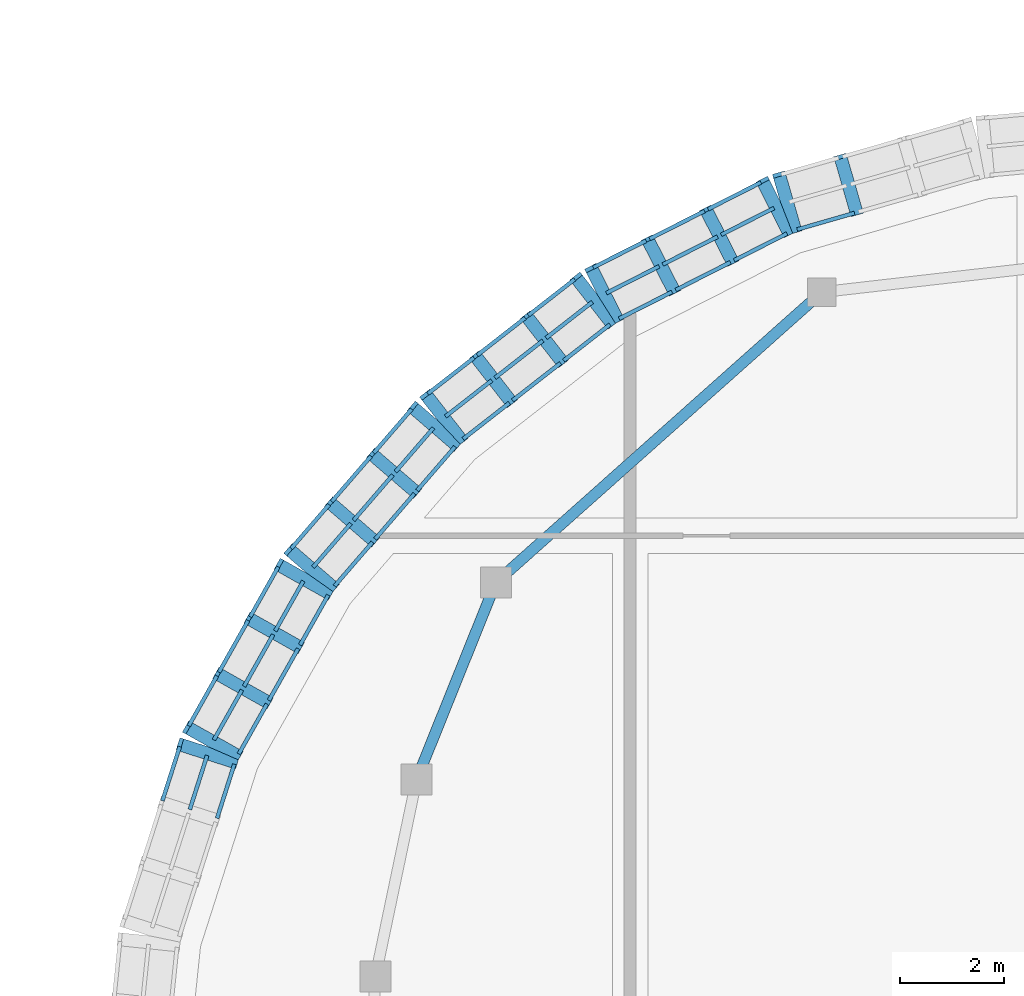
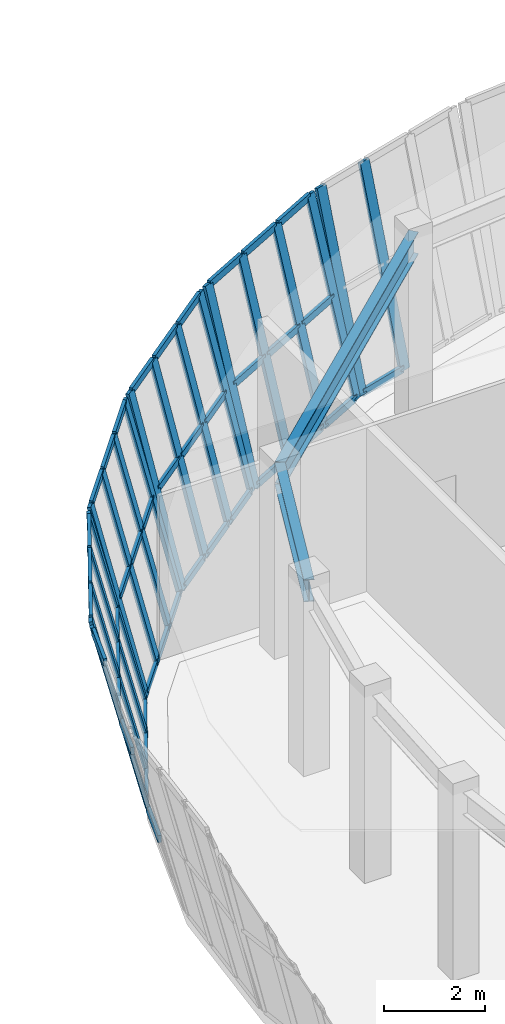
# One storey, part 27 of 120: 59 members, 2 beams, 6 elements without a shape of their own.
"""IFC4 building model written with IfcOpenShell, lengths in metres."""

import ifcopenshell
import ifcopenshell.guid

model = None  # the IFC model being written
_history = None  # IfcOwnerHistory: only IFC2X3 demands one
_inside = {}  # id of a spatial element -> (the spatial element, [elements in it])
_under = {}  # id of a project, library or spatial element -> (it, [spatial elements below it])
_declared = {}  # id of a project -> (the project, [libraries it declares])
_typed = {}  # id of a type object -> (the type object, [elements of that type])
_made_of = {}  # id of a material, layer set ... -> (it, [elements and type objects made of it])


def new_model(schema):
    """Start an empty IFC model of exactly this schema.

    Asked for "IFC4X3", IfcOpenShell would pick the latest addendum, in which some entities
    have other attributes; the version numbers below select the first issue.
    IFC2X3 requires an IfcOwnerHistory on every rooted entity: one is made here for all.
    """
    global model, _history
    if schema == "IFC4X3":
        model = ifcopenshell.file(schema_version=(4, 3, 0, 0))
    else:
        model = ifcopenshell.file(schema=schema)
    _inside.clear()
    _under.clear()
    _declared.clear()
    _typed.clear()
    _made_of.clear()
    _history = None
    if model.schema == "IFC2X3":
        org = make("IfcOrganization", Name="unknown")
        user = make(
            "IfcPersonAndOrganization",
            ThePerson=make("IfcPerson", FamilyName="unknown"),
            TheOrganization=org,
        )
        app = make(
            "IfcApplication",
            ApplicationDeveloper=org,
            Version="unknown",
            ApplicationFullName="unknown",
            ApplicationIdentifier="unknown",
        )
        _history = make(
            "IfcOwnerHistory",
            OwningUser=user,
            OwningApplication=app,
            ChangeAction="ADDED",
            CreationDate=0,
        )
    return model


def make(cls, **values):
    """One entity of the class cls with the attributes given. An attribute that is None is left unset."""
    return model.create_entity(
        cls, **{name: value for name, value in values.items() if value is not None}
    )


def rooted(cls, **values):
    """An entity with a GlobalId (a new one), such as an element, a storey or a relation."""
    return make(cls, GlobalId=ifcopenshell.guid.new(), OwnerHistory=_history, **values)


def si_unit(unit_type, name, prefix=None):
    """IfcSIUnit, for example si_unit("LENGTHUNIT", "METRE", prefix="MILLI")."""
    return make("IfcSIUnit", UnitType=unit_type, Prefix=prefix, Name=name)


def assignment(units):
    """IfcUnitAssignment: the units of a project."""
    return None if units is None else make("IfcUnitAssignment", Units=units)


def point(xyz):
    """IfcCartesianPoint."""
    return None if xyz is None else make("IfcCartesianPoint", Coordinates=xyz)


def direction(xyz):
    """IfcDirection."""
    return None if xyz is None else make("IfcDirection", DirectionRatios=xyz)


def frame(location, z_axis=None, x_axis=None):
    """IfcAxis2Placement3D, a coordinate frame: its origin and axes. An axis left out is left unset."""
    return make(
        "IfcAxis2Placement3D",
        Location=point(location),
        Axis=direction(z_axis),
        RefDirection=direction(x_axis),
    )


def frame_2d(location, x_axis=None):
    """IfcAxis2Placement2D, a coordinate frame in the plane: its origin and x axis."""
    return make(
        "IfcAxis2Placement2D", Location=point(location), RefDirection=direction(x_axis)
    )


def origin():
    """The frame at (0, 0, 0) with its axes left unset."""
    return frame((0.0, 0.0, 0.0))


def origin_2d():
    """The frame at (0, 0) in the plane with its x axis left unset."""
    return frame_2d((0.0, 0.0))


def place(relative_to, where):
    """IfcLocalPlacement: puts the frame where relative to a parent placement (None: the world)."""
    return make(
        "IfcLocalPlacement", PlacementRelTo=relative_to, RelativePlacement=where
    )


def context(
    kind, dimensions, precision=None, world=None, true_north=None, identifier=None
):
    """IfcGeometricRepresentationContext, for example the 3D "Model" context."""
    return make(
        "IfcGeometricRepresentationContext",
        ContextIdentifier=identifier,
        ContextType=kind,
        CoordinateSpaceDimension=dimensions,
        Precision=precision,
        WorldCoordinateSystem=world,
        TrueNorth=true_north,
    )


def subcontext(parent, identifier, kind, view, scale=None):
    """IfcGeometricRepresentationSubContext, for example "Body" below "Model"."""
    return make(
        "IfcGeometricRepresentationSubContext",
        ContextIdentifier=identifier,
        ContextType=kind,
        ParentContext=parent,
        TargetScale=scale,
        TargetView=view,
    )


def project(units=None, contexts=None):
    """IfcProject with its units and contexts."""
    return rooted(
        "IfcProject",
        Name="project",
        RepresentationContexts=contexts,
        UnitsInContext=assignment(units),
    )


def spatial(cls, under=None, at=None, **own):
    """A site, building, storey or space (cls), placed at a placement, below another one or the project."""
    s = rooted(cls, ObjectPlacement=at, **own)
    if under is not None:
        _under.setdefault(under.id(), (under, []))[1].append(s)
    return s


def profile(cls, at=None, kind="AREA", **sizes):
    """A parametric profile (cls). Its sizes go by their IFC names, for example OverallWidth=200.0."""
    return make(cls, ProfileType=kind, Position=at, **sizes)


def rectangle(**sizes):
    """IfcRectangleProfileDef."""
    return profile("IfcRectangleProfileDef", **sizes)


def i_section(**sizes):
    """IfcIShapeProfileDef."""
    return profile("IfcIShapeProfileDef", **sizes)


def extrude(swept, where, along, depth):
    """IfcExtrudedAreaSolid: the profile swept, set in the frame where, extruded along a direction by depth."""
    return make(
        "IfcExtrudedAreaSolid",
        SweptArea=swept,
        Position=where,
        ExtrudedDirection=direction(along),
        Depth=depth,
    )


def shape(context_of_items, identifier, shape_type, items):
    """IfcShapeRepresentation: the items that make up one representation, for example the "Body"."""
    return make(
        "IfcShapeRepresentation",
        ContextOfItems=context_of_items,
        RepresentationIdentifier=identifier,
        RepresentationType=shape_type,
        Items=items,
    )


def material(Name=None, Category=None):
    """IfcMaterial."""
    return make("IfcMaterial", Name=Name, Category=Category)


def material_profile(
    of_material, cross_section, Name=None, Category=None, Priority=None
):
    """IfcMaterialProfile: a cross section and its material."""
    return make(
        "IfcMaterialProfile",
        Name=Name,
        Material=of_material,
        Profile=cross_section,
        Priority=Priority,
        Category=Category,
    )


def profile_set(profiles, Name=None, composite=None):
    """IfcMaterialProfileSet."""
    return make(
        "IfcMaterialProfileSet",
        Name=Name,
        MaterialProfiles=profiles,
        CompositeProfile=composite,
    )


def made_of(thing, what):
    """Note that an element or type object is made of a material, layer set ...; save() writes the relation."""
    if what is not None:
        _made_of.setdefault(what.id(), (what, []))[1].append(thing)
    return thing


def type_object(cls, material=None, **own):
    """A type object (cls), such as IfcWallType, which elements share."""
    return made_of(rooted(cls, **own), material)


def element(
    cls,
    number,
    at=None,
    inside=None,
    cuts=None,
    type_object=None,
    material=None,
    context=None,
    identifier="Body",
    shape_type=None,
    held_by="IfcProductDefinitionShape",
    body=None,
    shapes=None,
    **own,
):
    """One element of the class cls, such as IfcWall. Its Tag is "e" and its number.

    at: its placement. inside: the storey or other place that contains it. cuts: it is an
    opening in that element (IfcRelVoidsElement). A single representation is given by context,
    identifier, shape_type and body (its items); several are given by shapes. held_by: the class
    of the entity that holds the representations. save() writes the other relations.
    """
    e = rooted(cls, Tag="e%d" % number, ObjectPlacement=at, **own)
    if body is not None:
        shapes = [shape(context, identifier, shape_type, body)]
    if shapes is not None:
        e.Representation = make(held_by, Representations=shapes)
    if inside is not None:
        _inside.setdefault(inside.id(), (inside, []))[1].append(e)
    if cuts is not None:
        rooted(
            "IfcRelVoidsElement", RelatingBuildingElement=cuts, RelatedOpeningElement=e
        )
    if type_object is not None:
        _typed.setdefault(type_object.id(), (type_object, []))[1].append(e)
    return made_of(e, material)


def aggregate(whole, parts):
    """IfcRelAggregates: a whole, such as a stair, and the parts it consists of."""
    return rooted("IfcRelAggregates", RelatingObject=whole, RelatedObjects=parts)


def save(model, path):
    """Write the relations noted so far, then the file.

    IfcRelAggregates (storeys below a building ...), IfcRelContainedInSpatialStructure (elements
    in a storey), IfcRelDefinesByType, IfcRelAssociatesMaterial and IfcRelDeclares: one each for
    every whole, place, type object, material and project.
    """
    for whole, parts in _under.values():
        aggregate(whole, parts)
    for where, things in _inside.values():
        rooted(
            "IfcRelContainedInSpatialStructure",
            RelatedElements=things,
            RelatingStructure=where,
        )
    for kind, things in _typed.values():
        rooted("IfcRelDefinesByType", RelatedObjects=things, RelatingType=kind)
    for what, things in _made_of.values():
        rooted("IfcRelAssociatesMaterial", RelatedObjects=things, RelatingMaterial=what)
    for by, libraries in _declared.values():
        rooted("IfcRelDeclares", RelatingContext=by, RelatedDefinitions=libraries)
    model.write(path)


model = new_model("IFC4")

# Units and contexts
model_context = context("Model", 3, precision=1e-05, world=origin(), true_north=direction((0.0, 1.0)))
body_context = subcontext(model_context, "Body", "Model", "MODEL_VIEW")
ifc_project = project(units=[si_unit("LENGTHUNIT", "METRE"), si_unit("AREAUNIT", "SQUARE_METRE"), si_unit("VOLUMEUNIT", "CUBIC_METRE"), si_unit("PLANEANGLEUNIT", "RADIAN"), si_unit("MASSUNIT", "GRAM", prefix="KILO")], contexts=[model_context])

# Site, building, storey
site_placement = place(None, origin())
site = spatial("IfcSite", under=ifc_project, at=site_placement, CompositionType="ELEMENT")
building_placement = place(site_placement, origin())
building = spatial("IfcBuilding", under=site, at=building_placement, Name="Corveleigh Park Community Centre", CompositionType="ELEMENT")
storey_placement = place(building_placement, origin())
storey = spatial("IfcBuildingStorey", under=building, at=storey_placement, Name="L00", CompositionType="ELEMENT", Elevation=0.0)

# Beams
ifc_material_1 = material(Name="Steel S355", Category="steel")
ifc_material_profile_1 = material_profile(ifc_material_1, i_section(OverallWidth=0.210693359375, OverallDepth=0.53955078125, WebThickness=0.01171875, FlangeThickness=0.018798828125, at=origin_2d()), Name="UKB 533x210x109", Category="steel")
ifc_profile_set_1 = profile_set([ifc_material_profile_1], Name="Steel S355")
beam_type = type_object("IfcBeamType", Name="BM-STL-UKB533x109", PredefinedType="BEAM", material=ifc_profile_set_1)
beam_1_placement = place(storey_placement, frame((23.996337890625, 43.796630859375, 4.2421875), z_axis=(-0.746899880609, -0.664936514523, 0.0), x_axis=(0.664936514523, -0.746899880609, 0.0)))
element("IfcBeam", 1, at=beam_1_placement, inside=storey, type_object=beam_type, Name="V1 Drum Ring Girder", PredefinedType="BEAM", context=body_context, shape_type="SweptSolid", body=[
    extrude(i_section(OverallWidth=0.210693359375, OverallDepth=0.53955078125, WebThickness=0.01171875, FlangeThickness=0.018798828125, at=origin_2d()), origin(), (0.0, 0.0, 1.0), 8.41162109375),
])
beam_2_placement = place(storey_placement, frame((17.7080078125, 38.1953125, 4.2421875), z_axis=(-0.373254520888, -0.927728981242, 0.0), x_axis=(0.927728981242, -0.373254520888, 0.0)))
element("IfcBeam", 2, at=beam_2_placement, inside=storey, type_object=beam_type, Name="V1 Drum Ring Girder", PredefinedType="BEAM", context=body_context, shape_type="SweptSolid", body=[
    extrude(i_section(OverallWidth=0.210693359375, OverallDepth=0.53955078125, WebThickness=0.01171875, FlangeThickness=0.018798828125, at=origin_2d()), origin(), (0.0, 0.0, 1.0), 4.086181640625),
])

# Curtain wall, members
ifc_material_2 = material(Name="Anodised aluminium 6063-T6", Category="aluminium")
curtain_wall_type = type_object("IfcCurtainWallType", Name="CW-SYS-V1-L00", PredefinedType="NOTDEFINED", material=ifc_material_2)
curtain_wall_1_placement = place(storey_placement, origin())
curtain_wall_1 = element("IfcCurtainWall", 3, at=curtain_wall_1_placement, inside=storey, type_object=curtain_wall_type, Name="Main Hall Flared Drum CW 10", PredefinedType="NOTDEFINED")
ifc_material_profile_2 = material_profile(ifc_material_2, rectangle(XDim=0.080078125, YDim=0.25, at=origin_2d()), Name="ALU-M80x250", Category="aluminium")
ifc_profile_set_2 = profile_set([ifc_material_profile_2], Name="Anodised aluminium 6063-T6")
member_type_1 = type_object("IfcMemberType", Name="CWM-80x250", PredefinedType="MULLION", material=ifc_profile_set_2)
member_1_placement = place(storey_placement, frame((24.6689453125, 45.327880859375, 0.0), z_axis=(-0.066940417208, 0.232480131291, 0.97029478464), x_axis=(0.268478897217, -0.932411417159, 0.241925672265)))
member_1 = element("IfcMember", 4, at=member_1_placement, type_object=member_type_1, Name="CW01 mullion 3", PredefinedType="MULLION", context=body_context, shape_type="SweptSolid", body=[
    extrude(rectangle(XDim=0.080078125, YDim=0.25, at=origin_2d()), origin(), (0.0, 0.0, 1.0), 4.650146484375),
])
member_2_placement = place(storey_placement, frame((23.4853515625, 44.987060546875, 0.0), z_axis=(-0.066940417208, 0.232480131291, 0.97029478464), x_axis=(0.268478897217, -0.932411417159, 0.241925672265)))
member_2 = element("IfcMember", 5, at=member_2_placement, type_object=member_type_1, Name="CW01 mullion 4", PredefinedType="MULLION", context=body_context, shape_type="SweptSolid", body=[
    extrude(rectangle(XDim=0.080078125, YDim=0.25, at=origin_2d()), origin(), (0.0, 0.0, 1.0), 4.650146484375),
])

curtain_wall_2_placement = place(storey_placement, origin())
curtain_wall_2 = element("IfcCurtainWall", 6, at=curtain_wall_2_placement, inside=storey, type_object=curtain_wall_type, Name="Main Hall Flared Drum CW 11", PredefinedType="NOTDEFINED")
member_3_placement = place(storey_placement, frame((23.365234375, 44.93994140625, 0.0), z_axis=(-0.10946752743, 0.215732407774, 0.970297062077), x_axis=(0.439060599847, -0.865275781665, 0.241916537933)))
member_3 = element("IfcMember", 7, at=member_3_placement, type_object=member_type_1, Name="CW01 mullion 1", PredefinedType="MULLION", context=body_context, shape_type="SweptSolid", body=[
    extrude(rectangle(XDim=0.080078125, YDim=0.25, at=origin_2d()), origin(), (0.0, 0.0, 1.0), 4.650146484375),
])
member_4_placement = place(storey_placement, frame((22.274658203125, 44.38623046875, 0.0), z_axis=(-0.10946752743, 0.215732407774, 0.970297062077), x_axis=(0.439060599847, -0.865275781665, 0.241916537933)))
member_4 = element("IfcMember", 8, at=member_4_placement, type_object=member_type_1, Name="CW01 mullion 2", PredefinedType="MULLION", context=body_context, shape_type="SweptSolid", body=[
    extrude(rectangle(XDim=0.080078125, YDim=0.25, at=origin_2d()), origin(), (0.0, 0.0, 1.0), 4.650146484375),
])
member_5_placement = place(storey_placement, frame((21.1484375, 43.814697265625, 0.0), z_axis=(-0.10951940025, 0.215731167607, 0.97029148419), x_axis=(0.439225512909, -0.865185825763, 0.241938909041)))
member_5 = element("IfcMember", 9, at=member_5_placement, type_object=member_type_1, Name="CW01 mullion 3", PredefinedType="MULLION", context=body_context, shape_type="SweptSolid", body=[
    extrude(rectangle(XDim=0.080078125, YDim=0.25, at=origin_2d()), origin(), (0.0, 0.0, 1.0), 4.650146484375),
])
member_6_placement = place(storey_placement, frame((20.0576171875, 43.260986328125, 0.0), z_axis=(-0.109466287419, 0.215782465848, 0.970286070884), x_axis=(0.438970667231, -0.865309085045, 0.241960617971)))
member_6 = element("IfcMember", 10, at=member_6_placement, type_object=member_type_1, Name="CW01 mullion 4", PredefinedType="MULLION", context=body_context, shape_type="SweptSolid", body=[
    extrude(rectangle(XDim=0.080078125, YDim=0.25, at=origin_2d()), origin(), (0.0, 0.0, 1.0), 4.650146484375),
])

curtain_wall_3_placement = place(storey_placement, origin())
curtain_wall_3 = element("IfcCurtainWall", 11, at=curtain_wall_3_placement, inside=storey, type_object=curtain_wall_type, Name="Main Hall Flared Drum CW 12", PredefinedType="NOTDEFINED")
member_7_placement = place(storey_placement, frame((19.948486328125, 43.1923828125, 0.0), z_axis=(-0.148737689421, 0.190844158505, 0.970286353048), x_axis=(0.596455846134, -0.765307801164, 0.241959486463)))
member_7 = element("IfcMember", 12, at=member_7_placement, type_object=member_type_1, Name="CW01 mullion 1", PredefinedType="MULLION", context=body_context, shape_type="SweptSolid", body=[
    extrude(rectangle(XDim=0.080078125, YDim=0.25, at=origin_2d()), origin(), (0.0, 0.0, 1.0), 4.650146484375),
])
member_8_placement = place(storey_placement, frame((18.993408203125, 42.447998046875, 0.0), z_axis=(-0.14873917954, 0.190793568108, 0.970296073803), x_axis=(0.596563916209, -0.765235888282, 0.241920501739)))
member_8 = element("IfcMember", 13, at=member_8_placement, type_object=member_type_1, Name="CW01 mullion 2", PredefinedType="MULLION", context=body_context, shape_type="SweptSolid", body=[
    extrude(rectangle(XDim=0.080078125, YDim=0.25, at=origin_2d()), origin(), (0.0, 0.0, 1.0), 4.650146484375),
])
member_9_placement = place(storey_placement, frame((18.006591796875, 41.678955078125, 0.0), z_axis=(-0.14868634848, 0.190845648562, 0.970293928766), x_axis=(0.596329496109, -0.765415861001, 0.241929104903)))
member_9 = element("IfcMember", 14, at=member_9_placement, type_object=member_type_1, Name="CW01 mullion 3", PredefinedType="MULLION", context=body_context, shape_type="SweptSolid", body=[
    extrude(rectangle(XDim=0.080078125, YDim=0.25, at=origin_2d()), origin(), (0.0, 0.0, 1.0), 4.650146484375),
])
member_10_placement = place(storey_placement, frame((17.051513671875, 40.9345703125, 0.0), z_axis=(-0.148737689421, 0.190844158505, 0.970286353048), x_axis=(0.596455846134, -0.765307801164, 0.241959486463)))
member_10 = element("IfcMember", 15, at=member_10_placement, type_object=member_type_1, Name="CW01 mullion 4", PredefinedType="MULLION", context=body_context, shape_type="SweptSolid", body=[
    extrude(rectangle(XDim=0.080078125, YDim=0.25, at=origin_2d()), origin(), (0.0, 0.0, 1.0), 4.650146484375),
])

curtain_wall_4_placement = place(storey_placement, origin())
curtain_wall_4 = element("IfcCurtainWall", 16, at=curtain_wall_4_placement, inside=storey, type_object=curtain_wall_type, Name="Main Hall Flared Drum CW 13", PredefinedType="NOTDEFINED")
member_11_placement = place(storey_placement, frame((16.955810546875, 40.84375, 0.0), z_axis=(-0.183023592492, 0.158189926615, 0.970298053027), x_axis=(0.734097613689, -0.634491138854, 0.241912563318)))
member_11 = element("IfcMember", 17, at=member_11_placement, type_object=member_type_1, Name="CW01 mullion 1", PredefinedType="MULLION", context=body_context, shape_type="SweptSolid", body=[
    extrude(rectangle(XDim=0.080078125, YDim=0.25, at=origin_2d()), origin(), (0.0, 0.0, 1.0), 4.650146484375),
])
member_12_placement = place(storey_placement, frame((16.172607421875, 39.937744140625, 0.0), z_axis=(-0.183023592492, 0.158189926615, 0.970298053027), x_axis=(0.734097613689, -0.634491138854, 0.241912563318)))
member_12 = element("IfcMember", 18, at=member_12_placement, type_object=member_type_1, Name="CW01 mullion 2", PredefinedType="MULLION", context=body_context, shape_type="SweptSolid", body=[
    extrude(rectangle(XDim=0.080078125, YDim=0.25, at=origin_2d()), origin(), (0.0, 0.0, 1.0), 4.650146484375),
])
member_13_placement = place(storey_placement, frame((15.36328125, 39.001220703125, 0.0), z_axis=(-0.183022072182, 0.158241114618, 0.970289993115), x_axis=(0.733987338895, -0.634606379641, 0.241944888893)))
member_13 = element("IfcMember", 19, at=member_13_placement, type_object=member_type_1, Name="CW01 mullion 3", PredefinedType="MULLION", context=body_context, shape_type="SweptSolid", body=[
    extrude(rectangle(XDim=0.080078125, YDim=0.25, at=origin_2d()), origin(), (0.0, 0.0, 1.0), 4.650146484375),
])
member_14_placement = place(storey_placement, frame((14.580078125, 38.09521484375, 0.0), z_axis=(-0.183022072182, 0.158241114618, 0.970289993115), x_axis=(0.733987338895, -0.634606379641, 0.241944888893)))
member_14 = element("IfcMember", 20, at=member_14_placement, type_object=member_type_1, Name="CW01 mullion 4", PredefinedType="MULLION", context=body_context, shape_type="SweptSolid", body=[
    extrude(rectangle(XDim=0.080078125, YDim=0.25, at=origin_2d()), origin(), (0.0, 0.0, 1.0), 4.650146484375),
])

curtain_wall_5_placement = place(storey_placement, origin())
curtain_wall_5 = element("IfcCurtainWall", 21, at=curtain_wall_5_placement, inside=storey, type_object=curtain_wall_type, Name="Main Hall Flared Drum CW 14", PredefinedType="NOTDEFINED")
member_15_placement = place(storey_placement, frame((14.50439453125, 37.987060546875, 0.0), z_axis=(-0.210846989392, 0.118706435014, 0.970284664081), x_axis=(0.845496396273, -0.476012786846, 0.24196625932)))
member_15 = element("IfcMember", 22, at=member_15_placement, type_object=member_type_1, Name="CW01 mullion 1", PredefinedType="MULLION", context=body_context, shape_type="SweptSolid", body=[
    extrude(rectangle(XDim=0.080078125, YDim=0.25, at=origin_2d()), origin(), (0.0, 0.0, 1.0), 4.650146484375),
])
member_16_placement = place(storey_placement, frame((13.922607421875, 36.95361328125, 0.0), z_axis=(-0.210798134358, 0.118655985965, 0.970301449832), x_axis=(0.845550363495, -0.475951138605, 0.241898938514)))
member_16 = element("IfcMember", 23, at=member_16_placement, type_object=member_type_1, Name="CW01 mullion 2", PredefinedType="MULLION", context=body_context, shape_type="SweptSolid", body=[
    extrude(rectangle(XDim=0.080078125, YDim=0.25, at=origin_2d()), origin(), (0.0, 0.0, 1.0), 4.650146484375),
])
member_17_placement = place(storey_placement, frame((13.3212890625, 35.88525390625, 0.0), z_axis=(-0.21079682086, 0.118707748932, 0.970295403812), x_axis=(0.845455069126, -0.476108072551, 0.241923188928)))
member_17 = element("IfcMember", 24, at=member_17_placement, type_object=member_type_1, Name="CW01 mullion 3", PredefinedType="MULLION", context=body_context, shape_type="SweptSolid", body=[
    extrude(rectangle(XDim=0.080078125, YDim=0.25, at=origin_2d()), origin(), (0.0, 0.0, 1.0), 4.650146484375),
])
member_18_placement = place(storey_placement, frame((12.739501953125, 34.851806640625, 0.0), z_axis=(-0.210798134358, 0.118655985965, 0.970301449832), x_axis=(0.845550363495, -0.475951138605, 0.241898938514)))
member_18 = element("IfcMember", 25, at=member_18_placement, type_object=member_type_1, Name="CW01 mullion 4", PredefinedType="MULLION", context=body_context, shape_type="SweptSolid", body=[
    extrude(rectangle(XDim=0.080078125, YDim=0.25, at=origin_2d()), origin(), (0.0, 0.0, 1.0), 4.650146484375),
])

# Curtain wall, member
curtain_wall_6_placement = place(storey_placement, origin())
curtain_wall_6 = element("IfcCurtainWall", 26, at=curtain_wall_6_placement, inside=storey, type_object=curtain_wall_type, Name="Main Hall Flared Drum CW 15", PredefinedType="NOTDEFINED")
member_19_placement = place(storey_placement, frame((12.686767578125, 34.73095703125, 0.0), z_axis=(-0.230432884742, 0.073660819616, 0.970296227594), x_axis=(0.924223979595, -0.295440018996, 0.241919884914)))
member_19 = element("IfcMember", 27, at=member_19_placement, type_object=member_type_1, Name="CW01 mullion 1", PredefinedType="MULLION", context=body_context, shape_type="SweptSolid", body=[
    extrude(rectangle(XDim=0.080078125, YDim=0.25, at=origin_2d()), origin(), (0.0, 0.0, 1.0), 4.650146484375),
])

# Member
ifc_material_profile_3 = material_profile(ifc_material_2, rectangle(XDim=0.074951171875, YDim=0.175048828125, at=origin_2d()), Name="ALU-T75x175", Category="aluminium")
ifc_profile_set_3 = profile_set([ifc_material_profile_3], Name="Anodised aluminium 6063-T6")
member_type_2 = type_object("IfcMemberType", Name="CWT-75x175", PredefinedType="USERDEFINED", material=ifc_profile_set_3)
member_20_placement = place(storey_placement, frame((24.6279296875, 45.325927734375, 0.03759765625), z_axis=(-0.96091364535, -0.27684827285, 0.0), x_axis=(0.27684827285, -0.96091364535, 0.0)))
member_20 = element("IfcMember", 28, at=member_20_placement, type_object=member_type_2, Name="CW01 transom 3.1", ObjectType="TRANSOM", PredefinedType="USERDEFINED", context=body_context, shape_type="SweptSolid", body=[
    extrude(rectangle(XDim=0.074951171875, YDim=0.175048828125, at=origin_2d()), origin(), (0.0, 0.0, 1.0), 1.151611328125),
])

aggregate(curtain_wall_1, [member_1, member_2, member_20])

member_21_placement = place(storey_placement, frame((23.325439453125, 44.93017578125, 0.03759765625), z_axis=(-0.89171981789, -0.452587854877, 0.0), x_axis=(0.452587854877, -0.89171981789, 0.0)))
member_21 = element("IfcMember", 29, at=member_21_placement, type_object=member_type_2, Name="CW01 transom 1.1", ObjectType="TRANSOM", PredefinedType="USERDEFINED", context=body_context, shape_type="SweptSolid", body=[
    extrude(rectangle(XDim=0.074951171875, YDim=0.175048828125, at=origin_2d()), origin(), (0.0, 0.0, 1.0), 1.14306640625),
])

member_22_placement = place(storey_placement, frame((23.07568359375, 45.422119140625, 2.25), z_axis=(-0.89171981789, -0.452587854877, 0.0), x_axis=(0.452587854877, -0.89171981789, 0.0)))
member_22 = element("IfcMember", 30, at=member_22_placement, type_object=member_type_2, Name="CW01 transom 1.2", ObjectType="TRANSOM", PredefinedType="USERDEFINED", context=body_context, shape_type="SweptSolid", body=[
    extrude(rectangle(XDim=0.074951171875, YDim=0.175048828125, at=origin_2d()), origin(), (0.0, 0.0, 1.0), 1.14306640625),
])

member_23_placement = place(storey_placement, frame((22.82470703125, 45.916748046875, 4.474609375), z_axis=(-0.89163361085, -0.452757665869, 0.0), x_axis=(0.452757665869, -0.89163361085, 0.0)))
member_23 = element("IfcMember", 31, at=member_23_placement, type_object=member_type_2, Name="CW01 transom 1.3", ObjectType="TRANSOM", PredefinedType="USERDEFINED", context=body_context, shape_type="SweptSolid", body=[
    extrude(rectangle(XDim=0.074951171875, YDim=0.175048828125, at=origin_2d()), origin(), (0.0, 0.0, 1.0), 1.14306640625),
])

member_24_placement = place(storey_placement, frame((22.23486328125, 44.37646484375, 0.03759765625), z_axis=(-0.891770533494, -0.45248791762, 0.0), x_axis=(0.45248791762, -0.891770533494, 0.0)))
member_24 = element("IfcMember", 32, at=member_24_placement, type_object=member_type_2, Name="CW01 transom 2.1", ObjectType="TRANSOM", PredefinedType="USERDEFINED", context=body_context, shape_type="SweptSolid", body=[
    extrude(rectangle(XDim=0.074951171875, YDim=0.175048828125, at=origin_2d()), origin(), (0.0, 0.0, 1.0), 1.183349609375),
])

member_25_placement = place(storey_placement, frame((21.985107421875, 44.868408203125, 2.25), z_axis=(-0.891728276149, -0.452571189446, 0.0), x_axis=(0.452571189446, -0.891728276149, 0.0)))
member_25 = element("IfcMember", 33, at=member_25_placement, type_object=member_type_2, Name="CW01 transom 2.2", ObjectType="TRANSOM", PredefinedType="USERDEFINED", context=body_context, shape_type="SweptSolid", body=[
    extrude(rectangle(XDim=0.074951171875, YDim=0.175048828125, at=origin_2d()), origin(), (0.0, 0.0, 1.0), 1.18310546875),
])

member_26_placement = place(storey_placement, frame((21.734130859375, 45.363037109375, 4.474609375), z_axis=(-0.891770533494, -0.45248791762, 0.0), x_axis=(0.45248791762, -0.891770533494, 0.0)))
member_26 = element("IfcMember", 34, at=member_26_placement, type_object=member_type_2, Name="CW01 transom 2.3", ObjectType="TRANSOM", PredefinedType="USERDEFINED", context=body_context, shape_type="SweptSolid", body=[
    extrude(rectangle(XDim=0.074951171875, YDim=0.175048828125, at=origin_2d()), origin(), (0.0, 0.0, 1.0), 1.183349609375),
])

member_27_placement = place(storey_placement, frame((21.1083984375, 43.804931640625, 0.03759765625), z_axis=(-0.89171981789, -0.452587854877, 0.0), x_axis=(0.452587854877, -0.89171981789, 0.0)))
member_27 = element("IfcMember", 35, at=member_27_placement, type_object=member_type_2, Name="CW01 transom 3.1", ObjectType="TRANSOM", PredefinedType="USERDEFINED", context=body_context, shape_type="SweptSolid", body=[
    extrude(rectangle(XDim=0.074951171875, YDim=0.175048828125, at=origin_2d()), origin(), (0.0, 0.0, 1.0), 1.14306640625),
])

member_28_placement = place(storey_placement, frame((20.858642578125, 44.296875, 2.25), z_axis=(-0.89171981789, -0.452587854877, 0.0), x_axis=(0.452587854877, -0.89171981789, 0.0)))
member_28 = element("IfcMember", 36, at=member_28_placement, type_object=member_type_2, Name="CW01 transom 3.2", ObjectType="TRANSOM", PredefinedType="USERDEFINED", context=body_context, shape_type="SweptSolid", body=[
    extrude(rectangle(XDim=0.074951171875, YDim=0.175048828125, at=origin_2d()), origin(), (0.0, 0.0, 1.0), 1.14306640625),
])

member_29_placement = place(storey_placement, frame((20.607666015625, 44.79150390625, 4.474609375), z_axis=(-0.89171981789, -0.452587854877, 0.0), x_axis=(0.452587854877, -0.89171981789, 0.0)))
member_29 = element("IfcMember", 37, at=member_29_placement, type_object=member_type_2, Name="CW01 transom 3.3", ObjectType="TRANSOM", PredefinedType="USERDEFINED", context=body_context, shape_type="SweptSolid", body=[
    extrude(rectangle(XDim=0.074951171875, YDim=0.175048828125, at=origin_2d()), origin(), (0.0, 0.0, 1.0), 1.14306640625),
])

aggregate(curtain_wall_2, [member_3, member_4, member_5, member_6, member_21, member_22, member_23, member_24, member_25, member_26, member_27, member_28, member_29])

member_30_placement = place(storey_placement, frame((19.9111328125, 43.17529296875, 0.03759765625), z_axis=(-0.788724172933, -0.614747248088, 0.0), x_axis=(0.614747248088, -0.788724172933, 0.0)))
member_30 = element("IfcMember", 38, at=member_30_placement, type_object=member_type_2, Name="CW01 transom 1.1", ObjectType="TRANSOM", PredefinedType="USERDEFINED", context=body_context, shape_type="SweptSolid", body=[
    extrude(rectangle(XDim=0.074951171875, YDim=0.175048828125, at=origin_2d()), origin(), (0.0, 0.0, 1.0), 1.131103515625),
])

member_31_placement = place(storey_placement, frame((19.572021484375, 43.6103515625, 2.25), z_axis=(-0.788724172933, -0.614747248088, 0.0), x_axis=(0.614747248088, -0.788724172933, 0.0)))
member_31 = element("IfcMember", 39, at=member_31_placement, type_object=member_type_2, Name="CW01 transom 1.2", ObjectType="TRANSOM", PredefinedType="USERDEFINED", context=body_context, shape_type="SweptSolid", body=[
    extrude(rectangle(XDim=0.074951171875, YDim=0.175048828125, at=origin_2d()), origin(), (0.0, 0.0, 1.0), 1.131103515625),
])

member_32_placement = place(storey_placement, frame((19.23095703125, 44.0478515625, 4.474609375), z_axis=(-0.788642578466, -0.614851919921, 0.0), x_axis=(0.614851919921, -0.788642578466, 0.0)))
member_32 = element("IfcMember", 40, at=member_32_placement, type_object=member_type_2, Name="CW01 transom 1.3", ObjectType="TRANSOM", PredefinedType="USERDEFINED", context=body_context, shape_type="SweptSolid", body=[
    extrude(rectangle(XDim=0.074951171875, YDim=0.175048828125, at=origin_2d()), origin(), (0.0, 0.0, 1.0), 1.130859375),
])

member_33_placement = place(storey_placement, frame((18.9560546875, 42.4306640625, 0.03759765625), z_axis=(-0.788779283732, -0.614676534085, 0.0), x_axis=(0.614676534085, -0.788779283732, 0.0)))
member_33 = element("IfcMember", 41, at=member_33_placement, type_object=member_type_2, Name="CW01 transom 2.1", ObjectType="TRANSOM", PredefinedType="USERDEFINED", context=body_context, shape_type="SweptSolid", body=[
    extrude(rectangle(XDim=0.074951171875, YDim=0.175048828125, at=origin_2d()), origin(), (0.0, 0.0, 1.0), 1.1708984375),
])

member_34_placement = place(storey_placement, frame((18.616943359375, 42.865966796875, 2.25), z_axis=(-0.788678192977, -0.61480623608, 0.0), x_axis=(0.61480623608, -0.788678192977, 0.0)))
member_34 = element("IfcMember", 42, at=member_34_placement, type_object=member_type_2, Name="CW01 transom 2.2", ObjectType="TRANSOM", PredefinedType="USERDEFINED", context=body_context, shape_type="SweptSolid", body=[
    extrude(rectangle(XDim=0.074951171875, YDim=0.175048828125, at=origin_2d()), origin(), (0.0, 0.0, 1.0), 1.171142578125),
])

member_35_placement = place(storey_placement, frame((18.27587890625, 43.303466796875, 4.474609375), z_axis=(-0.788678192977, -0.61480623608, 0.0), x_axis=(0.61480623608, -0.788678192977, 0.0)))
member_35 = element("IfcMember", 43, at=member_35_placement, type_object=member_type_2, Name="CW01 transom 2.3", ObjectType="TRANSOM", PredefinedType="USERDEFINED", context=body_context, shape_type="SweptSolid", body=[
    extrude(rectangle(XDim=0.074951171875, YDim=0.175048828125, at=origin_2d()), origin(), (0.0, 0.0, 1.0), 1.171142578125),
])

member_36_placement = place(storey_placement, frame((17.969482421875, 41.661865234375, 0.03759765625), z_axis=(-0.788724172933, -0.614747248088, 0.0), x_axis=(0.614747248088, -0.788724172933, 0.0)))
member_36 = element("IfcMember", 44, at=member_36_placement, type_object=member_type_2, Name="CW01 transom 3.1", ObjectType="TRANSOM", PredefinedType="USERDEFINED", context=body_context, shape_type="SweptSolid", body=[
    extrude(rectangle(XDim=0.074951171875, YDim=0.175048828125, at=origin_2d()), origin(), (0.0, 0.0, 1.0), 1.131103515625),
])

member_37_placement = place(storey_placement, frame((17.63037109375, 42.096923828125, 2.25), z_axis=(-0.788724172933, -0.614747248088, 0.0), x_axis=(0.614747248088, -0.788724172933, 0.0)))
member_37 = element("IfcMember", 45, at=member_37_placement, type_object=member_type_2, Name="CW01 transom 3.2", ObjectType="TRANSOM", PredefinedType="USERDEFINED", context=body_context, shape_type="SweptSolid", body=[
    extrude(rectangle(XDim=0.074951171875, YDim=0.175048828125, at=origin_2d()), origin(), (0.0, 0.0, 1.0), 1.131103515625),
])

member_38_placement = place(storey_placement, frame((17.289306640625, 42.534423828125, 4.474609375), z_axis=(-0.788724172933, -0.614747248088, 0.0), x_axis=(0.614747248088, -0.788724172933, 0.0)))
member_38 = element("IfcMember", 46, at=member_38_placement, type_object=member_type_2, Name="CW01 transom 3.3", ObjectType="TRANSOM", PredefinedType="USERDEFINED", context=body_context, shape_type="SweptSolid", body=[
    extrude(rectangle(XDim=0.074951171875, YDim=0.175048828125, at=origin_2d()), origin(), (0.0, 0.0, 1.0), 1.131103515625),
])

aggregate(curtain_wall_3, [member_7, member_8, member_9, member_10, member_30, member_31, member_32, member_33, member_34, member_35, member_36, member_37, member_38])

member_39_placement = place(storey_placement, frame((16.922607421875, 40.819580078125, 0.03759765625), z_axis=(-0.654023576954, -0.756474163992, 0.0), x_axis=(0.756474163992, -0.654023576954, 0.0)))
member_39 = element("IfcMember", 47, at=member_39_placement, type_object=member_type_2, Name="CW01 transom 1.1", ObjectType="TRANSOM", PredefinedType="USERDEFINED", context=body_context, shape_type="SweptSolid", body=[
    extrude(rectangle(XDim=0.074951171875, YDim=0.175048828125, at=origin_2d()), origin(), (0.0, 0.0, 1.0), 1.11767578125),
])

member_40_placement = place(storey_placement, frame((16.50537109375, 41.180419921875, 2.25), z_axis=(-0.653915512177, -0.756567579886, 0.0), x_axis=(0.756567579886, -0.653915512177, 0.0)))
member_40 = element("IfcMember", 48, at=member_40_placement, type_object=member_type_2, Name="CW01 transom 1.2", ObjectType="TRANSOM", PredefinedType="USERDEFINED", context=body_context, shape_type="SweptSolid", body=[
    extrude(rectangle(XDim=0.074951171875, YDim=0.175048828125, at=origin_2d()), origin(), (0.0, 0.0, 1.0), 1.117919921875),
])

member_41_placement = place(storey_placement, frame((16.085693359375, 41.54296875, 4.474609375), z_axis=(-0.654023576954, -0.756474163992, 0.0), x_axis=(0.756474163992, -0.654023576954, 0.0)))
member_41 = element("IfcMember", 49, at=member_41_placement, type_object=member_type_2, Name="CW01 transom 1.3", ObjectType="TRANSOM", PredefinedType="USERDEFINED", context=body_context, shape_type="SweptSolid", body=[
    extrude(rectangle(XDim=0.074951171875, YDim=0.175048828125, at=origin_2d()), origin(), (0.0, 0.0, 1.0), 1.11767578125),
])

member_42_placement = place(storey_placement, frame((16.139404296875, 39.91357421875, 0.03759765625), z_axis=(-0.653894326994, -0.756585890118, 0.0), x_axis=(0.756585890118, -0.653894326994, 0.0)))
member_42 = element("IfcMember", 50, at=member_42_placement, type_object=member_type_2, Name="CW01 transom 2.1", ObjectType="TRANSOM", PredefinedType="USERDEFINED", context=body_context, shape_type="SweptSolid", body=[
    extrude(rectangle(XDim=0.074951171875, YDim=0.175048828125, at=origin_2d()), origin(), (0.0, 0.0, 1.0), 1.15771484375),
])

member_43_placement = place(storey_placement, frame((15.72216796875, 40.274169921875, 2.25), z_axis=(-0.65399865839, -0.756495707076, 0.0), x_axis=(0.756495707076, -0.65399865839, 0.0)))
member_43 = element("IfcMember", 51, at=member_43_placement, type_object=member_type_2, Name="CW01 transom 2.2", ObjectType="TRANSOM", PredefinedType="USERDEFINED", context=body_context, shape_type="SweptSolid", body=[
    extrude(rectangle(XDim=0.074951171875, YDim=0.175048828125, at=origin_2d()), origin(), (0.0, 0.0, 1.0), 1.15771484375),
])

member_44_placement = place(storey_placement, frame((15.302490234375, 40.636962890625, 4.474609375), z_axis=(-0.65399865839, -0.756495707076, 0.0), x_axis=(0.756495707076, -0.65399865839, 0.0)))
member_44 = element("IfcMember", 52, at=member_44_placement, type_object=member_type_2, Name="CW01 transom 2.3", ObjectType="TRANSOM", PredefinedType="USERDEFINED", context=body_context, shape_type="SweptSolid", body=[
    extrude(rectangle(XDim=0.074951171875, YDim=0.175048828125, at=origin_2d()), origin(), (0.0, 0.0, 1.0), 1.15771484375),
])

member_45_placement = place(storey_placement, frame((15.330078125, 38.977294921875, 0.03759765625), z_axis=(-0.653915512177, -0.756567579886, 0.0), x_axis=(0.756567579886, -0.653915512177, 0.0)))
member_45 = element("IfcMember", 53, at=member_45_placement, type_object=member_type_2, Name="CW01 transom 3.1", ObjectType="TRANSOM", PredefinedType="USERDEFINED", context=body_context, shape_type="SweptSolid", body=[
    extrude(rectangle(XDim=0.074951171875, YDim=0.175048828125, at=origin_2d()), origin(), (0.0, 0.0, 1.0), 1.117919921875),
])

member_46_placement = place(storey_placement, frame((14.912841796875, 39.337890625, 2.25), z_axis=(-0.654023576954, -0.756474163992, 0.0), x_axis=(0.756474163992, -0.654023576954, 0.0)))
member_46 = element("IfcMember", 54, at=member_46_placement, type_object=member_type_2, Name="CW01 transom 3.2", ObjectType="TRANSOM", PredefinedType="USERDEFINED", context=body_context, shape_type="SweptSolid", body=[
    extrude(rectangle(XDim=0.074951171875, YDim=0.175048828125, at=origin_2d()), origin(), (0.0, 0.0, 1.0), 1.11767578125),
])

member_47_placement = place(storey_placement, frame((14.4931640625, 39.70068359375, 4.474609375), z_axis=(-0.653915512177, -0.756567579886, 0.0), x_axis=(0.756567579886, -0.653915512177, 0.0)))
member_47 = element("IfcMember", 55, at=member_47_placement, type_object=member_type_2, Name="CW01 transom 3.3", ObjectType="TRANSOM", PredefinedType="USERDEFINED", context=body_context, shape_type="SweptSolid", body=[
    extrude(rectangle(XDim=0.074951171875, YDim=0.175048828125, at=origin_2d()), origin(), (0.0, 0.0, 1.0), 1.117919921875),
])

aggregate(curtain_wall_4, [member_11, member_12, member_13, member_14, member_39, member_40, member_41, member_42, member_43, member_44, member_45, member_46, member_47])

member_48_placement = place(storey_placement, frame((14.4765625, 37.956787109375, 0.03759765625), z_axis=(-0.490565186833, -0.871404497043, 0.0), x_axis=(0.871404497043, -0.490565186833, 0.0)))
member_48 = element("IfcMember", 56, at=member_48_placement, type_object=member_type_2, Name="CW01 transom 1.1", ObjectType="TRANSOM", PredefinedType="USERDEFINED", context=body_context, shape_type="SweptSolid", body=[
    extrude(rectangle(XDim=0.074951171875, YDim=0.175048828125, at=origin_2d()), origin(), (0.0, 0.0, 1.0), 1.105712890625),
])

member_49_placement = place(storey_placement, frame((13.995849609375, 38.2275390625, 2.25), z_axis=(-0.490470824454, -0.871457612486, 0.0), x_axis=(0.871457612486, -0.490470824454, 0.0)))
member_49 = element("IfcMember", 57, at=member_49_placement, type_object=member_type_2, Name="CW01 transom 1.2", ObjectType="TRANSOM", PredefinedType="USERDEFINED", context=body_context, shape_type="SweptSolid", body=[
    extrude(rectangle(XDim=0.074951171875, YDim=0.175048828125, at=origin_2d()), origin(), (0.0, 0.0, 1.0), 1.10595703125),
])

member_50_placement = place(storey_placement, frame((13.512451171875, 38.49951171875, 4.474609375), z_axis=(-0.490470824454, -0.871457612486, 0.0), x_axis=(0.871457612486, -0.490470824454, 0.0)))
member_50 = element("IfcMember", 58, at=member_50_placement, type_object=member_type_2, Name="CW01 transom 1.3", ObjectType="TRANSOM", PredefinedType="USERDEFINED", context=body_context, shape_type="SweptSolid", body=[
    extrude(rectangle(XDim=0.074951171875, YDim=0.175048828125, at=origin_2d()), origin(), (0.0, 0.0, 1.0), 1.10595703125),
])

member_51_placement = place(storey_placement, frame((13.89501953125, 36.92333984375, 0.03759765625), z_axis=(-0.490645560304, -0.871359245176, 0.0), x_axis=(0.871359245176, -0.490645560304, 0.0)))
member_51 = element("IfcMember", 59, at=member_51_placement, type_object=member_type_2, Name="CW01 transom 2.1", ObjectType="TRANSOM", PredefinedType="USERDEFINED", context=body_context, shape_type="SweptSolid", body=[
    extrude(rectangle(XDim=0.074951171875, YDim=0.175048828125, at=origin_2d()), origin(), (0.0, 0.0, 1.0), 1.14599609375),
])

member_52_placement = place(storey_placement, frame((13.4140625, 37.194091796875, 2.25), z_axis=(-0.490392717818, -0.87150156759, 0.0), x_axis=(0.87150156759, -0.490392717818, 0.0)))
member_52 = element("IfcMember", 60, at=member_52_placement, type_object=member_type_2, Name="CW01 transom 2.2", ObjectType="TRANSOM", PredefinedType="USERDEFINED", context=body_context, shape_type="SweptSolid", body=[
    extrude(rectangle(XDim=0.074951171875, YDim=0.175048828125, at=origin_2d()), origin(), (0.0, 0.0, 1.0), 1.14599609375),
])

member_53_placement = place(storey_placement, frame((12.930908203125, 37.466064453125, 4.474609375), z_axis=(-0.490645560304, -0.871359245176, 0.0), x_axis=(0.871359245176, -0.490645560304, 0.0)))
member_53 = element("IfcMember", 61, at=member_53_placement, type_object=member_type_2, Name="CW01 transom 2.3", ObjectType="TRANSOM", PredefinedType="USERDEFINED", context=body_context, shape_type="SweptSolid", body=[
    extrude(rectangle(XDim=0.074951171875, YDim=0.175048828125, at=origin_2d()), origin(), (0.0, 0.0, 1.0), 1.14599609375),
])

member_54_placement = place(storey_placement, frame((13.29345703125, 35.85498046875, 0.03759765625), z_axis=(-0.490565186833, -0.871404497043, 0.0), x_axis=(0.871404497043, -0.490565186833, 0.0)))
member_54 = element("IfcMember", 62, at=member_54_placement, type_object=member_type_2, Name="CW01 transom 3.1", ObjectType="TRANSOM", PredefinedType="USERDEFINED", context=body_context, shape_type="SweptSolid", body=[
    extrude(rectangle(XDim=0.074951171875, YDim=0.175048828125, at=origin_2d()), origin(), (0.0, 0.0, 1.0), 1.105712890625),
])

member_55_placement = place(storey_placement, frame((12.812744140625, 36.125732421875, 2.25), z_axis=(-0.490470824454, -0.871457612486, 0.0), x_axis=(0.871457612486, -0.490470824454, 0.0)))
member_55 = element("IfcMember", 63, at=member_55_placement, type_object=member_type_2, Name="CW01 transom 3.2", ObjectType="TRANSOM", PredefinedType="USERDEFINED", context=body_context, shape_type="SweptSolid", body=[
    extrude(rectangle(XDim=0.074951171875, YDim=0.175048828125, at=origin_2d()), origin(), (0.0, 0.0, 1.0), 1.10595703125),
])

member_56_placement = place(storey_placement, frame((12.32958984375, 36.397705078125, 4.474609375), z_axis=(-0.490470824454, -0.871457612486, 0.0), x_axis=(0.871457612486, -0.490470824454, 0.0)))
member_56 = element("IfcMember", 64, at=member_56_placement, type_object=member_type_2, Name="CW01 transom 3.3", ObjectType="TRANSOM", PredefinedType="USERDEFINED", context=body_context, shape_type="SweptSolid", body=[
    extrude(rectangle(XDim=0.074951171875, YDim=0.175048828125, at=origin_2d()), origin(), (0.0, 0.0, 1.0), 1.10595703125),
])

aggregate(curtain_wall_5, [member_15, member_16, member_17, member_18, member_48, member_49, member_50, member_51, member_52, member_53, member_54, member_55, member_56])

member_57_placement = place(storey_placement, frame((12.665771484375, 34.695556640625, 0.03759765625), z_axis=(-0.304508988552, -0.952509462363, 0.0), x_axis=(0.952509462363, -0.304508988552, 0.0)))
member_57 = element("IfcMember", 65, at=member_57_placement, type_object=member_type_2, Name="CW01 transom 1.1", ObjectType="TRANSOM", PredefinedType="USERDEFINED", context=body_context, shape_type="SweptSolid", body=[
    extrude(rectangle(XDim=0.074951171875, YDim=0.175048828125, at=origin_2d()), origin(), (0.0, 0.0, 1.0), 1.095947265625),
])

member_58_placement = place(storey_placement, frame((12.140380859375, 34.863525390625, 2.25), z_axis=(-0.304711069795, -0.952444835119, 0.0), x_axis=(0.952444835119, -0.304711069795, 0.0)))
member_58 = element("IfcMember", 66, at=member_58_placement, type_object=member_type_2, Name="CW01 transom 1.2", ObjectType="TRANSOM", PredefinedType="USERDEFINED", context=body_context, shape_type="SweptSolid", body=[
    extrude(rectangle(XDim=0.074951171875, YDim=0.175048828125, at=origin_2d()), origin(), (0.0, 0.0, 1.0), 1.095947265625),
])

member_59_placement = place(storey_placement, frame((11.612060546875, 35.032470703125, 4.474609375), z_axis=(-0.304711069795, -0.952444835119, 0.0), x_axis=(0.952444835119, -0.304711069795, 0.0)))
member_59 = element("IfcMember", 67, at=member_59_placement, type_object=member_type_2, Name="CW01 transom 1.3", ObjectType="TRANSOM", PredefinedType="USERDEFINED", context=body_context, shape_type="SweptSolid", body=[
    extrude(rectangle(XDim=0.074951171875, YDim=0.175048828125, at=origin_2d()), origin(), (0.0, 0.0, 1.0), 1.095947265625),
])

aggregate(curtain_wall_6, [member_19, member_57, member_58, member_59])

save(model, "model.ifc")
